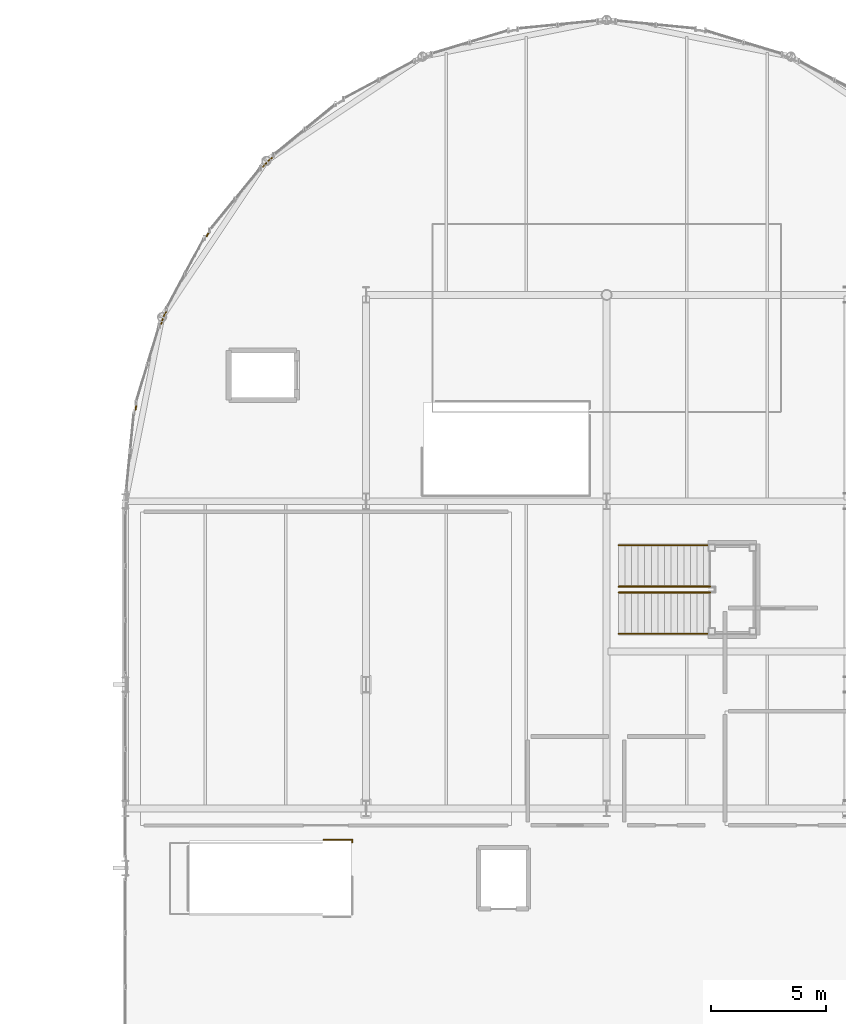
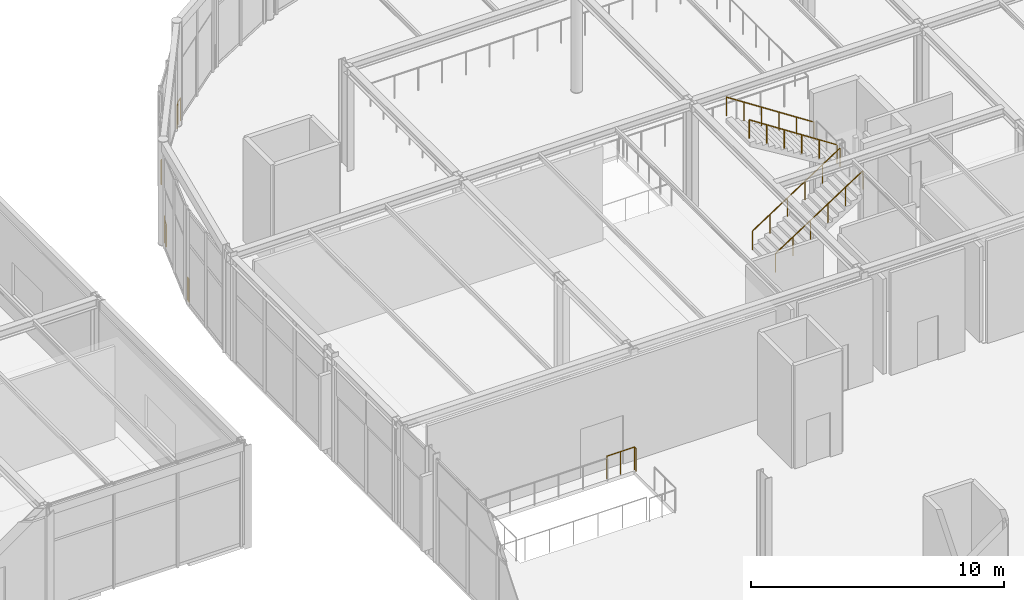
# One storey, part 181 of 195: 9 railings.
"""IFC4 building model written with IfcOpenShell, lengths in metres."""

from ifc_helpers import new_model, si_unit, direction, frame, origin, origin_2d, place, context, subcontext, project, spatial, circle, extrude, material, type_object, element, save


model = new_model("IFC4")

# Units and contexts
model_context = context("Model", 3, precision=1e-05, world=origin(), true_north=direction((0.0, 1.0)))
body_context = subcontext(model_context, "Body", "Model", "MODEL_VIEW")
ifc_project = project(units=[si_unit("LENGTHUNIT", "METRE"), si_unit("AREAUNIT", "SQUARE_METRE"), si_unit("VOLUMEUNIT", "CUBIC_METRE"), si_unit("PLANEANGLEUNIT", "RADIAN"), si_unit("MASSUNIT", "GRAM", prefix="KILO")], contexts=[model_context])

# Site, building, storey
site_placement = place(None, origin())
site = spatial("IfcSite", under=ifc_project, at=site_placement, CompositionType="ELEMENT")
building_placement = place(site_placement, origin())
building = spatial("IfcBuilding", under=site, at=building_placement, Name="Marlcrest Central Station", CompositionType="ELEMENT")
storey_placement = place(building_placement, frame((0.0, 0.0, 9.800048828125)))
storey = spatial("IfcBuildingStorey", under=building, at=storey_placement, Name="L02", CompositionType="ELEMENT", Elevation=9.800048828125)

# Railings
ifc_material_1 = material(Name="Stainless steel and laminated glass concourse balustrade", Category="steel")
railing_type_1 = type_object("IfcRailingType", Name="GR-02", PredefinedType="BALUSTRADE", material=ifc_material_1)
railing_1_placement = place(storey_placement, frame((87.4541015625, 114.49609375, 0.0)))
element("IfcRailing", 1, at=railing_1_placement, inside=storey, type_object=railing_type_1, Name="hr-L02-00485", PredefinedType="BALUSTRADE", context=body_context, shape_type="SweptSolid", body=[
    extrude(circle(Radius=0.02392578125, at=origin_2d()), frame((0.0, 0.0, 1.09619140625), z_axis=(0.0984209217, 0.995144874966, 0.0), x_axis=(-0.995144874966, 0.0984209217, 0.0)), (0.0, 0.0, 1.0), 0.08935546875),
    extrude(circle(Radius=0.02392578125, at=origin_2d()), frame((0.0087890625, 0.0888671875, 1.09619140625), z_axis=(0.290837119501, 0.956772580042, 0.0), x_axis=(-0.956772580042, 0.290837119501, 0.0)), (0.0, 0.0, 1.0), 0.08984375),
    extrude(circle(Radius=0.02099609375, at=origin_2d()), origin(), (0.0, 0.0, 1.0), 1.072021484375),
    extrude(circle(Radius=0.02099609375, at=origin_2d()), frame((0.0087890625, 0.0888671875, 0.0)), (0.0, 0.0, 1.0), 1.072021484375),
    extrude(circle(Radius=0.02099609375, at=origin_2d()), frame((0.034912109375, 0.1748046875, 0.0)), (0.0, 0.0, 1.0), 1.072021484375),
])
railing_2_placement = place(storey_placement, frame((88.571044921875, 118.237060546875, 0.0)))
element("IfcRailing", 2, at=railing_2_placement, inside=storey, type_object=railing_type_1, Name="hr-L02-00486", PredefinedType="BALUSTRADE", context=body_context, shape_type="SweptSolid", body=[
    extrude(circle(Radius=0.02392578125, at=origin_2d()), frame((0.0, 0.0, 1.09619140625), z_axis=(0.291228991205, 0.956653372273, 0.0), x_axis=(-0.956653372273, 0.291228991205, 0.0)), (0.0, 0.0, 1.0), 0.288330078125),
    extrude(circle(Radius=0.02392578125, at=origin_2d()), frame((0.083984375, 0.27587890625, 1.09619140625), z_axis=(0.469134550261, 0.883126703113, 0.0), x_axis=(-0.883126703113, 0.469134550261, 0.0)), (0.0, 0.0, 1.0), 0.287841796875),
    extrude(circle(Radius=0.02099609375, at=origin_2d()), origin(), (0.0, 0.0, 1.0), 1.072021484375),
    extrude(circle(Radius=0.02099609375, at=origin_2d()), frame((0.083984375, 0.27587890625, 0.0)), (0.0, 0.0, 1.0), 1.072021484375),
    extrude(circle(Radius=0.02099609375, at=origin_2d()), frame((0.218994140625, 0.530029296875, 0.0)), (0.0, 0.0, 1.0), 1.072021484375),
])
railing_3_placement = place(storey_placement, frame((90.547119140625, 122.053955078125, 0.0)))
element("IfcRailing", 3, at=railing_3_placement, inside=storey, type_object=railing_type_1, Name="hr-L02-00487", PredefinedType="BALUSTRADE", context=body_context, shape_type="SweptSolid", body=[
    extrude(circle(Radius=0.02392578125, at=origin_2d()), frame((0.0, 0.0, 1.09619140625), z_axis=(0.464410514373, 0.885620050665, 0.0), x_axis=(-0.885620050665, 0.464410514373, 0.0)), (0.0, 0.0, 1.0), 0.09033203125),
    extrude(circle(Radius=0.02392578125, at=origin_2d()), frame((0.0419921875, 0.080078125, 1.09619140625), z_axis=(0.636952090501, 0.770903388504, 0.0), x_axis=(-0.770903388504, 0.636952090501, 0.0)), (0.0, 0.0, 1.0), 0.08935546875),
    extrude(circle(Radius=0.02099609375, at=origin_2d()), origin(), (0.0, 0.0, 1.0), 1.072021484375),
    extrude(circle(Radius=0.02099609375, at=origin_2d()), frame((0.0419921875, 0.080078125, 0.0)), (0.0, 0.0, 1.0), 1.072021484375),
    extrude(circle(Radius=0.02099609375, at=origin_2d()), frame((0.098876953125, 0.14892578125, 0.0)), (0.0, 0.0, 1.0), 1.072021484375),
])
railing_4_placement = place(storey_placement, frame((93.010986328125, 125.083984375, 0.0)))
element("IfcRailing", 4, at=railing_4_placement, inside=storey, type_object=railing_type_1, Name="hr-L02-00488", PredefinedType="BALUSTRADE", context=body_context, shape_type="SweptSolid", body=[
    extrude(circle(Radius=0.02392578125, at=origin_2d()), frame((0.0, 0.0, 1.09619140625), z_axis=(0.636420822133, 0.771342036425, 0.0), x_axis=(-0.771342036425, 0.636420822133, 0.0)), (0.0, 0.0, 1.0), 0.28759765625),
    extrude(circle(Radius=0.02392578125, at=origin_2d()), frame((0.18310546875, 0.221923828125, 1.09619140625), z_axis=(0.771342036425, 0.636420822133, 0.0), x_axis=(-0.636420822133, 0.771342036425, 0.0)), (0.0, 0.0, 1.0), 0.28759765625),
    extrude(circle(Radius=0.02099609375, at=origin_2d()), origin(), (0.0, 0.0, 1.0), 1.072021484375),
    extrude(circle(Radius=0.02099609375, at=origin_2d()), frame((0.18310546875, 0.221923828125, 0.0)), (0.0, 0.0, 1.0), 1.072021484375),
    extrude(circle(Radius=0.02099609375, at=origin_2d()), frame((0.405029296875, 0.405029296875, 0.0)), (0.0, 0.0, 1.0), 1.072021484375),
])
railing_5_placement = place(storey_placement, frame((96.909912109375, 95.6201171875, 0.0)))
element("IfcRailing", 5, at=railing_5_placement, inside=storey, type_object=railing_type_1, Name="hr-L02-00551", PredefinedType="BALUSTRADE", context=body_context, shape_type="SweptSolid", body=[
    extrude(circle(Radius=0.02392578125, at=origin_2d()), frame((0.0, 0.0, 1.09619140625), z_axis=(0.0, 1.0, 0.0), x_axis=(-1.0, 0.0, 0.0)), (0.0, 0.0, 1.0), 0.10986328125),
    extrude(circle(Radius=0.02392578125, at=origin_2d()), frame((0.0, 0.10986328125, 1.09619140625), z_axis=(-1.0, 0.0, 0.0), x_axis=(0.0, -1.0, 0.0)), (0.0, 0.0, 1.0), 1.2578125),
    extrude(circle(Radius=0.02099609375, at=origin_2d()), origin(), (0.0, 0.0, 1.0), 1.072021484375),
    extrude(circle(Radius=0.02099609375, at=origin_2d()), frame((0.0, 0.10986328125, 0.0)), (0.0, 0.0, 1.0), 1.072021484375),
    extrude(circle(Radius=0.02099609375, at=origin_2d()), frame((-0.62890625, 0.10986328125, 0.0)), (0.0, 0.0, 1.0), 1.072021484375),
    extrude(circle(Radius=0.02099609375, at=origin_2d()), frame((-1.2578125, 0.10986328125, 0.0)), (0.0, 0.0, 1.0), 1.072021484375),
])
ifc_material_2 = material(Name="Brushed stainless steel handrail", Category="steel")
railing_type_2 = type_object("IfcRailingType", Name="HR-01", PredefinedType="HANDRAIL", material=ifc_material_2)
railing_6_placement = place(storey_placement, frame((108.52001953125, 104.719970703125, 0.0)))
element("IfcRailing", 6, at=railing_6_placement, inside=storey, type_object=railing_type_2, Name="hr-L02-00196", PredefinedType="HANDRAIL", context=body_context, shape_type="SweptSolid", body=[
    extrude(circle(Radius=0.02392578125, at=origin_2d()), frame((0.0, 0.0, 0.89599609375), z_axis=(0.837832859484, 0.0, 0.545926826204), x_axis=(0.0, 1.0, 0.0)), (0.0, 0.0, 1.0), 4.76220703125),
    extrude(circle(Radius=0.02099609375, at=origin_2d()), origin(), (0.0, 0.0, 1.0), 0.871826171875),
    extrude(circle(Radius=0.02099609375, at=origin_2d()), frame((0.798095703125, 0.0, 0.52001953125)), (0.0, 0.0, 1.0), 0.871826171875),
    extrude(circle(Radius=0.02099609375, at=origin_2d()), frame((1.595947265625, 0.0, 1.0400390625)), (0.0, 0.0, 1.0), 0.871826171875),
    extrude(circle(Radius=0.02099609375, at=origin_2d()), frame((2.39404296875, 0.0, 1.559814453125)), (0.0, 0.0, 1.0), 0.871826171875),
    extrude(circle(Radius=0.02099609375, at=origin_2d()), frame((3.19189453125, 0.0, 2.079833984375)), (0.0, 0.0, 1.0), 0.871826171875),
    extrude(circle(Radius=0.02099609375, at=origin_2d()), frame((3.989990234375, 0.0, 2.599853515625)), (0.0, 0.0, 1.0), 0.871826171875),
])
railing_7_placement = place(storey_placement, frame((112.510009765625, 106.780029296875, 2.599853515625)))
element("IfcRailing", 7, at=railing_7_placement, inside=storey, type_object=railing_type_2, Name="hr-L02-00197", PredefinedType="HANDRAIL", context=body_context, shape_type="SweptSolid", body=[
    extrude(circle(Radius=0.02392578125, at=origin_2d()), frame((0.0, 0.0, 0.89599609375), z_axis=(-0.83780941074, 0.0, 0.545962811257), x_axis=(0.0, -1.0, 0.0)), (0.0, 0.0, 1.0), 4.762451171875),
    extrude(circle(Radius=0.02099609375, at=origin_2d()), origin(), (0.0, 0.0, 1.0), 0.871826171875),
    extrude(circle(Radius=0.02099609375, at=origin_2d()), frame((-0.798095703125, 0.0, 0.52001953125)), (0.0, 0.0, 1.0), 0.871826171875),
    extrude(circle(Radius=0.02099609375, at=origin_2d()), frame((-1.595947265625, 0.0, 1.0400390625)), (0.0, 0.0, 1.0), 0.871826171875),
    extrude(circle(Radius=0.02099609375, at=origin_2d()), frame((-2.39404296875, 0.0, 1.56005859375)), (0.0, 0.0, 1.0), 0.871826171875),
    extrude(circle(Radius=0.02099609375, at=origin_2d()), frame((-3.19189453125, 0.0, 2.080078125)), (0.0, 0.0, 1.0), 0.871826171875),
    extrude(circle(Radius=0.02099609375, at=origin_2d()), frame((-3.989990234375, 0.0, 2.60009765625)), (0.0, 0.0, 1.0), 0.871826171875),
])
railing_8_placement = place(storey_placement, frame((108.52001953125, 106.52001953125, 0.0)))
element("IfcRailing", 8, at=railing_8_placement, inside=storey, type_object=railing_type_2, Name="hr-L02-00198", PredefinedType="HANDRAIL", context=body_context, shape_type="SweptSolid", body=[
    extrude(circle(Radius=0.02392578125, at=origin_2d()), frame((0.0, 0.0, 0.89599609375), z_axis=(0.837832859484, 0.0, 0.545926826204), x_axis=(0.0, 1.0, 0.0)), (0.0, 0.0, 1.0), 4.76220703125),
    extrude(circle(Radius=0.02099609375, at=origin_2d()), origin(), (0.0, 0.0, 1.0), 0.871826171875),
    extrude(circle(Radius=0.02099609375, at=origin_2d()), frame((0.798095703125, 0.0, 0.52001953125)), (0.0, 0.0, 1.0), 0.871826171875),
    extrude(circle(Radius=0.02099609375, at=origin_2d()), frame((1.595947265625, 0.0, 1.0400390625)), (0.0, 0.0, 1.0), 0.871826171875),
    extrude(circle(Radius=0.02099609375, at=origin_2d()), frame((2.39404296875, 0.0, 1.559814453125)), (0.0, 0.0, 1.0), 0.871826171875),
    extrude(circle(Radius=0.02099609375, at=origin_2d()), frame((3.19189453125, 0.0, 2.079833984375)), (0.0, 0.0, 1.0), 0.871826171875),
    extrude(circle(Radius=0.02099609375, at=origin_2d()), frame((3.989990234375, 0.0, 2.599853515625)), (0.0, 0.0, 1.0), 0.871826171875),
])
railing_9_placement = place(storey_placement, frame((112.510009765625, 108.580078125, 2.599853515625)))
element("IfcRailing", 9, at=railing_9_placement, inside=storey, type_object=railing_type_2, Name="hr-L02-00199", PredefinedType="HANDRAIL", context=body_context, shape_type="SweptSolid", body=[
    extrude(circle(Radius=0.02392578125, at=origin_2d()), frame((0.0, 0.0, 0.89599609375), z_axis=(-0.83780941074, 0.0, 0.545962811257), x_axis=(0.0, -1.0, 0.0)), (0.0, 0.0, 1.0), 4.762451171875),
    extrude(circle(Radius=0.02099609375, at=origin_2d()), origin(), (0.0, 0.0, 1.0), 0.871826171875),
    extrude(circle(Radius=0.02099609375, at=origin_2d()), frame((-0.798095703125, 0.0, 0.52001953125)), (0.0, 0.0, 1.0), 0.871826171875),
    extrude(circle(Radius=0.02099609375, at=origin_2d()), frame((-1.595947265625, 0.0, 1.0400390625)), (0.0, 0.0, 1.0), 0.871826171875),
    extrude(circle(Radius=0.02099609375, at=origin_2d()), frame((-2.39404296875, 0.0, 1.56005859375)), (0.0, 0.0, 1.0), 0.871826171875),
    extrude(circle(Radius=0.02099609375, at=origin_2d()), frame((-3.19189453125, 0.0, 2.080078125)), (0.0, 0.0, 1.0), 0.871826171875),
    extrude(circle(Radius=0.02099609375, at=origin_2d()), frame((-3.989990234375, 0.0, 2.60009765625)), (0.0, 0.0, 1.0), 0.871826171875),
])

save(model, "model.ifc")
